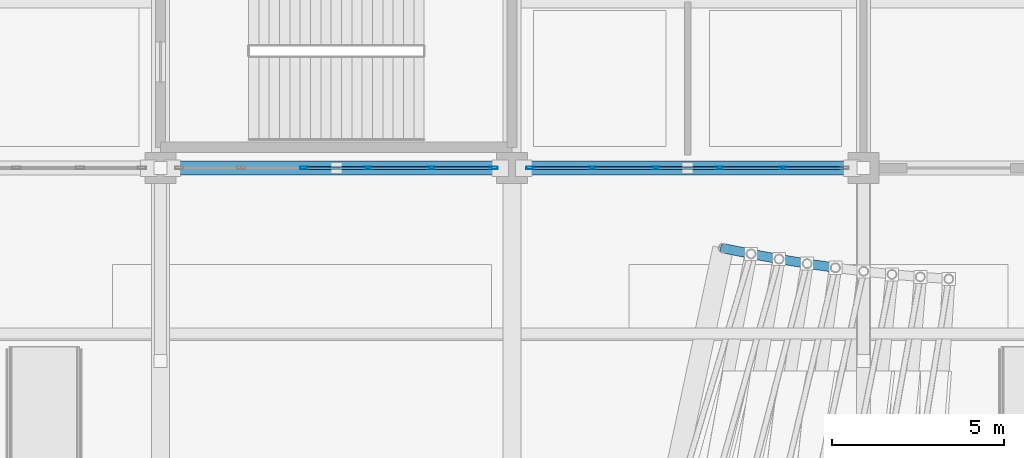
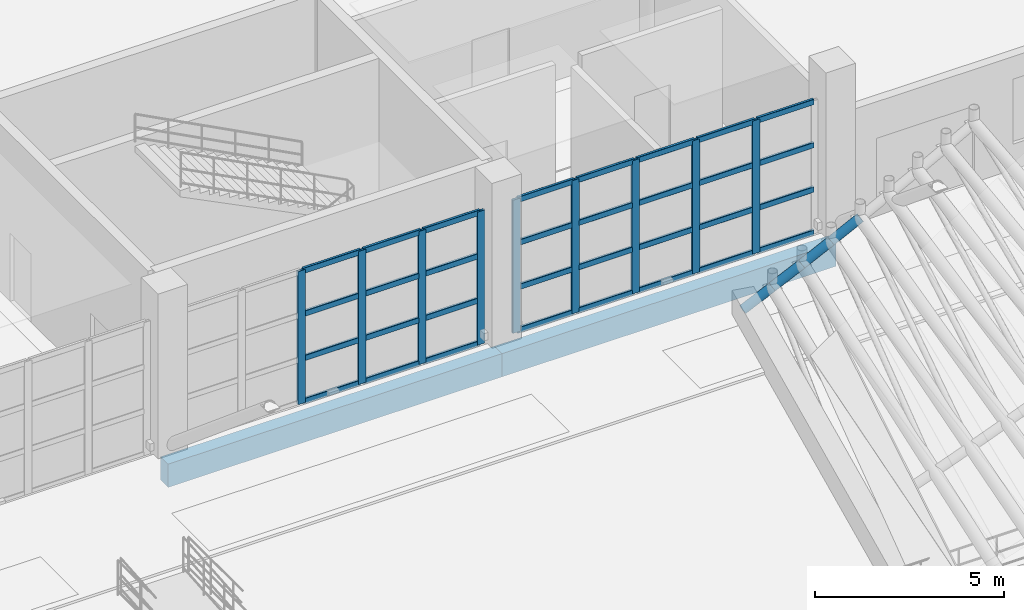
# One storey, part 50 of 124: 45 members, 2 beams, 2 elements without a shape of their own.
"""IFC4 building model written with IfcOpenShell, lengths in metres."""

from ifc_helpers import new_model, si_unit, direction, frame, origin, origin_2d, place, context, subcontext, project, spatial, rectangle, hollow_rectangle, hollow_circle, extrude, material, material_profile, profile_set, type_object, element, aggregate, save


model = new_model("IFC4")

# Units and contexts
model_context = context("Model", 3, precision=1e-05, world=origin(), true_north=direction((0.0, 1.0)))
body_context = subcontext(model_context, "Body", "Model", "MODEL_VIEW")
ifc_project = project(units=[si_unit("LENGTHUNIT", "METRE"), si_unit("AREAUNIT", "SQUARE_METRE"), si_unit("VOLUMEUNIT", "CUBIC_METRE"), si_unit("PLANEANGLEUNIT", "RADIAN"), si_unit("MASSUNIT", "GRAM", prefix="KILO")], contexts=[model_context])

# Site, building, storey
site_placement = place(None, origin())
site = spatial("IfcSite", under=ifc_project, at=site_placement, CompositionType="ELEMENT")
building_placement = place(site_placement, origin())
building = spatial("IfcBuilding", under=site, at=building_placement, Name="Brelvane Convention Centre", CompositionType="ELEMENT")
storey_placement = place(building_placement, origin())
storey = spatial("IfcBuildingStorey", under=building, at=storey_placement, Name="L00", CompositionType="ELEMENT", Elevation=0.0)

# Curtain wall, members
ifc_material_1 = material(Name="Anodised Aluminium Alloy 6063-T6", Category="aluminium")
curtain_wall_type = type_object("IfcCurtainWallType", Name="Curtain Wall CW-CONC", PredefinedType="USERDEFINED", material=ifc_material_1)
curtain_wall_1_placement = place(storey_placement, origin())
curtain_wall_1 = element("IfcCurtainWall", 1, at=curtain_wall_1_placement, inside=storey, type_object=curtain_wall_type, Name="Curtain Wall CW-CONC L00-V1S-13", ObjectType="UNITISED", PredefinedType="USERDEFINED")
ifc_material_2 = material(Name="Anodised Aluminium Alloy 6063-T6", Category="aluminium")
ifc_material_profile_1 = material_profile(ifc_material_2, hollow_rectangle(XDim=0.080078125, YDim=0.239990234375, WallThickness=0.006103515625, InnerFilletRadius=0.006103515625, OuterFilletRadius=0.011962890625, at=origin_2d()), Name="ALU-M 240x80x6.0")
ifc_profile_set_1 = profile_set([ifc_material_profile_1], Name="Anodised Aluminium Alloy 6063-T6")
member_type_1 = type_object("IfcMemberType", Name="Curtain Mullion CW-M1", PredefinedType="MULLION", material=ifc_profile_set_1)
member_1_placement = place(storey_placement, frame((126.580078125, 19.199951171875, 0.0), z_axis=(0.0, 0.0, 1.0), x_axis=(0.0, 1.0, 0.0)))
member_1 = element("IfcMember", 2, at=member_1_placement, type_object=member_type_1, Name="CW-CONC mullion 3", PredefinedType="MULLION", context=body_context, shape_type="SweptSolid", body=[
    extrude(hollow_rectangle(XDim=0.080078125, YDim=0.239990234375, WallThickness=0.006103515625, InnerFilletRadius=0.006103515625, OuterFilletRadius=0.011962890625, at=origin_2d()), origin(), (0.0, 0.0, 1.0), 4.300048828125),
])
member_2_placement = place(storey_placement, frame((128.419921875, 19.199951171875, 0.0), z_axis=(0.0, 0.0, 1.0), x_axis=(0.0, 1.0, 0.0)))
member_2 = element("IfcMember", 3, at=member_2_placement, type_object=member_type_1, Name="CW-CONC mullion 4", PredefinedType="MULLION", context=body_context, shape_type="SweptSolid", body=[
    extrude(hollow_rectangle(XDim=0.080078125, YDim=0.239990234375, WallThickness=0.006103515625, InnerFilletRadius=0.006103515625, OuterFilletRadius=0.011962890625, at=origin_2d()), origin(), (0.0, 0.0, 1.0), 4.300048828125),
])
member_3_placement = place(storey_placement, frame((130.260009765625, 19.199951171875, 0.0), z_axis=(0.0, 0.0, 1.0), x_axis=(0.0, 1.0, 0.0)))
member_3 = element("IfcMember", 4, at=member_3_placement, type_object=member_type_1, Name="CW-CONC mullion 5", PredefinedType="MULLION", context=body_context, shape_type="SweptSolid", body=[
    extrude(hollow_rectangle(XDim=0.080078125, YDim=0.239990234375, WallThickness=0.006103515625, InnerFilletRadius=0.006103515625, OuterFilletRadius=0.011962890625, at=origin_2d()), origin(), (0.0, 0.0, 1.0), 4.300048828125),
])
member_4_placement = place(storey_placement, frame((132.06005859375, 19.199951171875, 0.0), z_axis=(0.0, 0.0, 1.0), x_axis=(0.0, 1.0, 0.0)))
member_4 = element("IfcMember", 5, at=member_4_placement, type_object=member_type_1, Name="CW-CONC mullion 6", PredefinedType="MULLION", context=body_context, shape_type="SweptSolid", body=[
    extrude(hollow_rectangle(XDim=0.080078125, YDim=0.239990234375, WallThickness=0.006103515625, InnerFilletRadius=0.006103515625, OuterFilletRadius=0.011962890625, at=origin_2d()), origin(), (0.0, 0.0, 1.0), 4.300048828125),
])

curtain_wall_2_placement = place(storey_placement, origin())
curtain_wall_2 = element("IfcCurtainWall", 6, at=curtain_wall_2_placement, inside=storey, type_object=curtain_wall_type, Name="Curtain Wall CW-CONC L00-V1S-14", ObjectType="UNITISED", PredefinedType="USERDEFINED")
member_5_placement = place(storey_placement, frame((133.139892578125, 19.199951171875, 0.0), z_axis=(0.0, 0.0, 1.0), x_axis=(0.0, 1.0, 0.0)))
member_5 = element("IfcMember", 7, at=member_5_placement, type_object=member_type_1, Name="CW-CONC mullion 1", PredefinedType="MULLION", context=body_context, shape_type="SweptSolid", body=[
    extrude(hollow_rectangle(XDim=0.080078125, YDim=0.239990234375, WallThickness=0.006103515625, InnerFilletRadius=0.006103515625, OuterFilletRadius=0.011962890625, at=origin_2d()), origin(), (0.0, 0.0, 1.0), 4.300048828125),
])
member_6_placement = place(storey_placement, frame((134.93994140625, 19.199951171875, 0.0), z_axis=(0.0, 0.0, 1.0), x_axis=(0.0, 1.0, 0.0)))
member_6 = element("IfcMember", 8, at=member_6_placement, type_object=member_type_1, Name="CW-CONC mullion 2", PredefinedType="MULLION", context=body_context, shape_type="SweptSolid", body=[
    extrude(hollow_rectangle(XDim=0.080078125, YDim=0.239990234375, WallThickness=0.006103515625, InnerFilletRadius=0.006103515625, OuterFilletRadius=0.011962890625, at=origin_2d()), origin(), (0.0, 0.0, 1.0), 4.300048828125),
])
member_7_placement = place(storey_placement, frame((136.780029296875, 19.199951171875, 0.0), z_axis=(0.0, 0.0, 1.0), x_axis=(0.0, 1.0, 0.0)))
member_7 = element("IfcMember", 9, at=member_7_placement, type_object=member_type_1, Name="CW-CONC mullion 3", PredefinedType="MULLION", context=body_context, shape_type="SweptSolid", body=[
    extrude(hollow_rectangle(XDim=0.080078125, YDim=0.239990234375, WallThickness=0.006103515625, InnerFilletRadius=0.006103515625, OuterFilletRadius=0.011962890625, at=origin_2d()), origin(), (0.0, 0.0, 1.0), 4.300048828125),
])
member_8_placement = place(storey_placement, frame((138.6201171875, 19.199951171875, 0.0), z_axis=(0.0, 0.0, 1.0), x_axis=(0.0, 1.0, 0.0)))
member_8 = element("IfcMember", 10, at=member_8_placement, type_object=member_type_1, Name="CW-CONC mullion 4", PredefinedType="MULLION", context=body_context, shape_type="SweptSolid", body=[
    extrude(hollow_rectangle(XDim=0.080078125, YDim=0.239990234375, WallThickness=0.006103515625, InnerFilletRadius=0.006103515625, OuterFilletRadius=0.011962890625, at=origin_2d()), origin(), (0.0, 0.0, 1.0), 4.300048828125),
])
member_9_placement = place(storey_placement, frame((140.4599609375, 19.199951171875, 0.0), z_axis=(0.0, 0.0, 1.0), x_axis=(0.0, 1.0, 0.0)))
member_9 = element("IfcMember", 11, at=member_9_placement, type_object=member_type_1, Name="CW-CONC mullion 5", PredefinedType="MULLION", context=body_context, shape_type="SweptSolid", body=[
    extrude(hollow_rectangle(XDim=0.080078125, YDim=0.239990234375, WallThickness=0.006103515625, InnerFilletRadius=0.006103515625, OuterFilletRadius=0.011962890625, at=origin_2d()), origin(), (0.0, 0.0, 1.0), 4.300048828125),
])

# Member
ifc_material_3 = material(Name="Anodised Aluminium Alloy 6063-T6", Category="aluminium")
ifc_material_profile_2 = material_profile(ifc_material_3, hollow_rectangle(XDim=0.080078125, YDim=0.179931640625, WallThickness=0.0048828125, InnerFilletRadius=0.0048828125, OuterFilletRadius=0.010009765625, at=origin_2d()), Name="ALU-T 180x80x5.0")
ifc_profile_set_2 = profile_set([ifc_material_profile_2], Name="Anodised Aluminium Alloy 6063-T6")
member_type_2 = type_object("IfcMemberType", Name="Curtain Transom CW-T1", PredefinedType="USERDEFINED", material=ifc_profile_set_2)
member_10_placement = place(storey_placement, frame((126.6201171875, 19.199951171875, 0.0400390625), z_axis=(1.0, 0.0, 0.0), x_axis=(0.0, 1.0, 0.0)))
member_10 = element("IfcMember", 12, at=member_10_placement, type_object=member_type_2, Name="CW-CONC transom 3.1", ObjectType="TRANSOM", PredefinedType="USERDEFINED", context=body_context, shape_type="SweptSolid", body=[
    extrude(hollow_rectangle(XDim=0.080078125, YDim=0.179931640625, WallThickness=0.0048828125, InnerFilletRadius=0.0048828125, OuterFilletRadius=0.010009765625, at=origin_2d()), origin(), (0.0, 0.0, 1.0), 1.759765625),
])

member_11_placement = place(storey_placement, frame((126.6201171875, 19.199951171875, 1.433349609375), z_axis=(1.0, 0.0, 0.0), x_axis=(0.0, 1.0, 0.0)))
member_11 = element("IfcMember", 13, at=member_11_placement, type_object=member_type_2, Name="CW-CONC transom 3.2", ObjectType="TRANSOM", PredefinedType="USERDEFINED", context=body_context, shape_type="SweptSolid", body=[
    extrude(hollow_rectangle(XDim=0.080078125, YDim=0.179931640625, WallThickness=0.0048828125, InnerFilletRadius=0.0048828125, OuterFilletRadius=0.010009765625, at=origin_2d()), origin(), (0.0, 0.0, 1.0), 1.759765625),
])

member_12_placement = place(storey_placement, frame((126.6201171875, 19.199951171875, 2.86669921875), z_axis=(1.0, 0.0, 0.0), x_axis=(0.0, 1.0, 0.0)))
member_12 = element("IfcMember", 14, at=member_12_placement, type_object=member_type_2, Name="CW-CONC transom 3.3", ObjectType="TRANSOM", PredefinedType="USERDEFINED", context=body_context, shape_type="SweptSolid", body=[
    extrude(hollow_rectangle(XDim=0.080078125, YDim=0.179931640625, WallThickness=0.0048828125, InnerFilletRadius=0.0048828125, OuterFilletRadius=0.010009765625, at=origin_2d()), origin(), (0.0, 0.0, 1.0), 1.759765625),
])

member_13_placement = place(storey_placement, frame((126.6201171875, 19.199951171875, 4.260009765625), z_axis=(1.0, 0.0, 0.0), x_axis=(0.0, 1.0, 0.0)))
member_13 = element("IfcMember", 15, at=member_13_placement, type_object=member_type_2, Name="CW-CONC transom 3.4", ObjectType="TRANSOM", PredefinedType="USERDEFINED", context=body_context, shape_type="SweptSolid", body=[
    extrude(hollow_rectangle(XDim=0.080078125, YDim=0.179931640625, WallThickness=0.0048828125, InnerFilletRadius=0.0048828125, OuterFilletRadius=0.010009765625, at=origin_2d()), origin(), (0.0, 0.0, 1.0), 1.759765625),
])

member_14_placement = place(storey_placement, frame((128.4599609375, 19.199951171875, 0.0400390625), z_axis=(1.0, 0.0, 0.0), x_axis=(0.0, 1.0, 0.0)))
member_14 = element("IfcMember", 16, at=member_14_placement, type_object=member_type_2, Name="CW-CONC transom 4.1", ObjectType="TRANSOM", PredefinedType="USERDEFINED", context=body_context, shape_type="SweptSolid", body=[
    extrude(hollow_rectangle(XDim=0.080078125, YDim=0.179931640625, WallThickness=0.0048828125, InnerFilletRadius=0.0048828125, OuterFilletRadius=0.010009765625, at=origin_2d()), origin(), (0.0, 0.0, 1.0), 1.760009765625),
])

member_15_placement = place(storey_placement, frame((128.4599609375, 19.199951171875, 1.433349609375), z_axis=(1.0, 0.0, 0.0), x_axis=(0.0, 1.0, 0.0)))
member_15 = element("IfcMember", 17, at=member_15_placement, type_object=member_type_2, Name="CW-CONC transom 4.2", ObjectType="TRANSOM", PredefinedType="USERDEFINED", context=body_context, shape_type="SweptSolid", body=[
    extrude(hollow_rectangle(XDim=0.080078125, YDim=0.179931640625, WallThickness=0.0048828125, InnerFilletRadius=0.0048828125, OuterFilletRadius=0.010009765625, at=origin_2d()), origin(), (0.0, 0.0, 1.0), 1.760009765625),
])

member_16_placement = place(storey_placement, frame((128.4599609375, 19.199951171875, 2.86669921875), z_axis=(1.0, 0.0, 0.0), x_axis=(0.0, 1.0, 0.0)))
member_16 = element("IfcMember", 18, at=member_16_placement, type_object=member_type_2, Name="CW-CONC transom 4.3", ObjectType="TRANSOM", PredefinedType="USERDEFINED", context=body_context, shape_type="SweptSolid", body=[
    extrude(hollow_rectangle(XDim=0.080078125, YDim=0.179931640625, WallThickness=0.0048828125, InnerFilletRadius=0.0048828125, OuterFilletRadius=0.010009765625, at=origin_2d()), origin(), (0.0, 0.0, 1.0), 1.760009765625),
])

member_17_placement = place(storey_placement, frame((128.4599609375, 19.199951171875, 4.260009765625), z_axis=(1.0, 0.0, 0.0), x_axis=(0.0, 1.0, 0.0)))
member_17 = element("IfcMember", 19, at=member_17_placement, type_object=member_type_2, Name="CW-CONC transom 4.4", ObjectType="TRANSOM", PredefinedType="USERDEFINED", context=body_context, shape_type="SweptSolid", body=[
    extrude(hollow_rectangle(XDim=0.080078125, YDim=0.179931640625, WallThickness=0.0048828125, InnerFilletRadius=0.0048828125, OuterFilletRadius=0.010009765625, at=origin_2d()), origin(), (0.0, 0.0, 1.0), 1.760009765625),
])

member_18_placement = place(storey_placement, frame((130.300048828125, 19.199951171875, 0.0400390625), z_axis=(1.0, 0.0, 0.0), x_axis=(0.0, 1.0, 0.0)))
member_18 = element("IfcMember", 20, at=member_18_placement, type_object=member_type_2, Name="CW-CONC transom 5.1", ObjectType="TRANSOM", PredefinedType="USERDEFINED", context=body_context, shape_type="SweptSolid", body=[
    extrude(hollow_rectangle(XDim=0.080078125, YDim=0.179931640625, WallThickness=0.0048828125, InnerFilletRadius=0.0048828125, OuterFilletRadius=0.010009765625, at=origin_2d()), origin(), (0.0, 0.0, 1.0), 1.719970703125),
])

member_19_placement = place(storey_placement, frame((130.300048828125, 19.199951171875, 1.433349609375), z_axis=(1.0, 0.0, 0.0), x_axis=(0.0, 1.0, 0.0)))
member_19 = element("IfcMember", 21, at=member_19_placement, type_object=member_type_2, Name="CW-CONC transom 5.2", ObjectType="TRANSOM", PredefinedType="USERDEFINED", context=body_context, shape_type="SweptSolid", body=[
    extrude(hollow_rectangle(XDim=0.080078125, YDim=0.179931640625, WallThickness=0.0048828125, InnerFilletRadius=0.0048828125, OuterFilletRadius=0.010009765625, at=origin_2d()), origin(), (0.0, 0.0, 1.0), 1.719970703125),
])

member_20_placement = place(storey_placement, frame((130.300048828125, 19.199951171875, 2.86669921875), z_axis=(1.0, 0.0, 0.0), x_axis=(0.0, 1.0, 0.0)))
member_20 = element("IfcMember", 22, at=member_20_placement, type_object=member_type_2, Name="CW-CONC transom 5.3", ObjectType="TRANSOM", PredefinedType="USERDEFINED", context=body_context, shape_type="SweptSolid", body=[
    extrude(hollow_rectangle(XDim=0.080078125, YDim=0.179931640625, WallThickness=0.0048828125, InnerFilletRadius=0.0048828125, OuterFilletRadius=0.010009765625, at=origin_2d()), origin(), (0.0, 0.0, 1.0), 1.719970703125),
])

member_21_placement = place(storey_placement, frame((130.300048828125, 19.199951171875, 4.260009765625), z_axis=(1.0, 0.0, 0.0), x_axis=(0.0, 1.0, 0.0)))
member_21 = element("IfcMember", 23, at=member_21_placement, type_object=member_type_2, Name="CW-CONC transom 5.4", ObjectType="TRANSOM", PredefinedType="USERDEFINED", context=body_context, shape_type="SweptSolid", body=[
    extrude(hollow_rectangle(XDim=0.080078125, YDim=0.179931640625, WallThickness=0.0048828125, InnerFilletRadius=0.0048828125, OuterFilletRadius=0.010009765625, at=origin_2d()), origin(), (0.0, 0.0, 1.0), 1.719970703125),
])

aggregate(curtain_wall_1, [member_1, member_2, member_3, member_4, member_10, member_11, member_12, member_13, member_14, member_15, member_16, member_17, member_18, member_19, member_20, member_21])

member_22_placement = place(storey_placement, frame((133.179931640625, 19.199951171875, 0.0400390625), z_axis=(1.0, 0.0, 0.0), x_axis=(0.0, 1.0, 0.0)))
member_22 = element("IfcMember", 24, at=member_22_placement, type_object=member_type_2, Name="CW-CONC transom 1.1", ObjectType="TRANSOM", PredefinedType="USERDEFINED", context=body_context, shape_type="SweptSolid", body=[
    extrude(hollow_rectangle(XDim=0.080078125, YDim=0.179931640625, WallThickness=0.0048828125, InnerFilletRadius=0.0048828125, OuterFilletRadius=0.010009765625, at=origin_2d()), origin(), (0.0, 0.0, 1.0), 1.719970703125),
])

member_23_placement = place(storey_placement, frame((133.179931640625, 19.199951171875, 1.433349609375), z_axis=(1.0, 0.0, 0.0), x_axis=(0.0, 1.0, 0.0)))
member_23 = element("IfcMember", 25, at=member_23_placement, type_object=member_type_2, Name="CW-CONC transom 1.2", ObjectType="TRANSOM", PredefinedType="USERDEFINED", context=body_context, shape_type="SweptSolid", body=[
    extrude(hollow_rectangle(XDim=0.080078125, YDim=0.179931640625, WallThickness=0.0048828125, InnerFilletRadius=0.0048828125, OuterFilletRadius=0.010009765625, at=origin_2d()), origin(), (0.0, 0.0, 1.0), 1.719970703125),
])

member_24_placement = place(storey_placement, frame((133.179931640625, 19.199951171875, 2.86669921875), z_axis=(1.0, 0.0, 0.0), x_axis=(0.0, 1.0, 0.0)))
member_24 = element("IfcMember", 26, at=member_24_placement, type_object=member_type_2, Name="CW-CONC transom 1.3", ObjectType="TRANSOM", PredefinedType="USERDEFINED", context=body_context, shape_type="SweptSolid", body=[
    extrude(hollow_rectangle(XDim=0.080078125, YDim=0.179931640625, WallThickness=0.0048828125, InnerFilletRadius=0.0048828125, OuterFilletRadius=0.010009765625, at=origin_2d()), origin(), (0.0, 0.0, 1.0), 1.719970703125),
])

member_25_placement = place(storey_placement, frame((133.179931640625, 19.199951171875, 4.260009765625), z_axis=(1.0, 0.0, 0.0), x_axis=(0.0, 1.0, 0.0)))
member_25 = element("IfcMember", 27, at=member_25_placement, type_object=member_type_2, Name="CW-CONC transom 1.4", ObjectType="TRANSOM", PredefinedType="USERDEFINED", context=body_context, shape_type="SweptSolid", body=[
    extrude(hollow_rectangle(XDim=0.080078125, YDim=0.179931640625, WallThickness=0.0048828125, InnerFilletRadius=0.0048828125, OuterFilletRadius=0.010009765625, at=origin_2d()), origin(), (0.0, 0.0, 1.0), 1.719970703125),
])

member_26_placement = place(storey_placement, frame((134.97998046875, 19.199951171875, 0.0400390625), z_axis=(1.0, 0.0, 0.0), x_axis=(0.0, 1.0, 0.0)))
member_26 = element("IfcMember", 28, at=member_26_placement, type_object=member_type_2, Name="CW-CONC transom 2.1", ObjectType="TRANSOM", PredefinedType="USERDEFINED", context=body_context, shape_type="SweptSolid", body=[
    extrude(hollow_rectangle(XDim=0.080078125, YDim=0.179931640625, WallThickness=0.0048828125, InnerFilletRadius=0.0048828125, OuterFilletRadius=0.010009765625, at=origin_2d()), origin(), (0.0, 0.0, 1.0), 1.760009765625),
])

member_27_placement = place(storey_placement, frame((134.97998046875, 19.199951171875, 1.433349609375), z_axis=(1.0, 0.0, 0.0), x_axis=(0.0, 1.0, 0.0)))
member_27 = element("IfcMember", 29, at=member_27_placement, type_object=member_type_2, Name="CW-CONC transom 2.2", ObjectType="TRANSOM", PredefinedType="USERDEFINED", context=body_context, shape_type="SweptSolid", body=[
    extrude(hollow_rectangle(XDim=0.080078125, YDim=0.179931640625, WallThickness=0.0048828125, InnerFilletRadius=0.0048828125, OuterFilletRadius=0.010009765625, at=origin_2d()), origin(), (0.0, 0.0, 1.0), 1.760009765625),
])

member_28_placement = place(storey_placement, frame((134.97998046875, 19.199951171875, 2.86669921875), z_axis=(1.0, 0.0, 0.0), x_axis=(0.0, 1.0, 0.0)))
member_28 = element("IfcMember", 30, at=member_28_placement, type_object=member_type_2, Name="CW-CONC transom 2.3", ObjectType="TRANSOM", PredefinedType="USERDEFINED", context=body_context, shape_type="SweptSolid", body=[
    extrude(hollow_rectangle(XDim=0.080078125, YDim=0.179931640625, WallThickness=0.0048828125, InnerFilletRadius=0.0048828125, OuterFilletRadius=0.010009765625, at=origin_2d()), origin(), (0.0, 0.0, 1.0), 1.760009765625),
])

member_29_placement = place(storey_placement, frame((134.97998046875, 19.199951171875, 4.260009765625), z_axis=(1.0, 0.0, 0.0), x_axis=(0.0, 1.0, 0.0)))
member_29 = element("IfcMember", 31, at=member_29_placement, type_object=member_type_2, Name="CW-CONC transom 2.4", ObjectType="TRANSOM", PredefinedType="USERDEFINED", context=body_context, shape_type="SweptSolid", body=[
    extrude(hollow_rectangle(XDim=0.080078125, YDim=0.179931640625, WallThickness=0.0048828125, InnerFilletRadius=0.0048828125, OuterFilletRadius=0.010009765625, at=origin_2d()), origin(), (0.0, 0.0, 1.0), 1.760009765625),
])

member_30_placement = place(storey_placement, frame((136.820068359375, 19.199951171875, 0.0400390625), z_axis=(1.0, 0.0, 0.0), x_axis=(0.0, 1.0, 0.0)))
member_30 = element("IfcMember", 32, at=member_30_placement, type_object=member_type_2, Name="CW-CONC transom 3.1", ObjectType="TRANSOM", PredefinedType="USERDEFINED", context=body_context, shape_type="SweptSolid", body=[
    extrude(hollow_rectangle(XDim=0.080078125, YDim=0.179931640625, WallThickness=0.0048828125, InnerFilletRadius=0.0048828125, OuterFilletRadius=0.010009765625, at=origin_2d()), origin(), (0.0, 0.0, 1.0), 1.760009765625),
])

member_31_placement = place(storey_placement, frame((136.820068359375, 19.199951171875, 1.433349609375), z_axis=(1.0, 0.0, 0.0), x_axis=(0.0, 1.0, 0.0)))
member_31 = element("IfcMember", 33, at=member_31_placement, type_object=member_type_2, Name="CW-CONC transom 3.2", ObjectType="TRANSOM", PredefinedType="USERDEFINED", context=body_context, shape_type="SweptSolid", body=[
    extrude(hollow_rectangle(XDim=0.080078125, YDim=0.179931640625, WallThickness=0.0048828125, InnerFilletRadius=0.0048828125, OuterFilletRadius=0.010009765625, at=origin_2d()), origin(), (0.0, 0.0, 1.0), 1.760009765625),
])

member_32_placement = place(storey_placement, frame((136.820068359375, 19.199951171875, 2.86669921875), z_axis=(1.0, 0.0, 0.0), x_axis=(0.0, 1.0, 0.0)))
member_32 = element("IfcMember", 34, at=member_32_placement, type_object=member_type_2, Name="CW-CONC transom 3.3", ObjectType="TRANSOM", PredefinedType="USERDEFINED", context=body_context, shape_type="SweptSolid", body=[
    extrude(hollow_rectangle(XDim=0.080078125, YDim=0.179931640625, WallThickness=0.0048828125, InnerFilletRadius=0.0048828125, OuterFilletRadius=0.010009765625, at=origin_2d()), origin(), (0.0, 0.0, 1.0), 1.760009765625),
])

member_33_placement = place(storey_placement, frame((136.820068359375, 19.199951171875, 4.260009765625), z_axis=(1.0, 0.0, 0.0), x_axis=(0.0, 1.0, 0.0)))
member_33 = element("IfcMember", 35, at=member_33_placement, type_object=member_type_2, Name="CW-CONC transom 3.4", ObjectType="TRANSOM", PredefinedType="USERDEFINED", context=body_context, shape_type="SweptSolid", body=[
    extrude(hollow_rectangle(XDim=0.080078125, YDim=0.179931640625, WallThickness=0.0048828125, InnerFilletRadius=0.0048828125, OuterFilletRadius=0.010009765625, at=origin_2d()), origin(), (0.0, 0.0, 1.0), 1.760009765625),
])

member_34_placement = place(storey_placement, frame((138.659912109375, 19.199951171875, 0.0400390625), z_axis=(1.0, 0.0, 0.0), x_axis=(0.0, 1.0, 0.0)))
member_34 = element("IfcMember", 36, at=member_34_placement, type_object=member_type_2, Name="CW-CONC transom 4.1", ObjectType="TRANSOM", PredefinedType="USERDEFINED", context=body_context, shape_type="SweptSolid", body=[
    extrude(hollow_rectangle(XDim=0.080078125, YDim=0.179931640625, WallThickness=0.0048828125, InnerFilletRadius=0.0048828125, OuterFilletRadius=0.010009765625, at=origin_2d()), origin(), (0.0, 0.0, 1.0), 1.760009765625),
])

member_35_placement = place(storey_placement, frame((138.659912109375, 19.199951171875, 1.433349609375), z_axis=(1.0, 0.0, 0.0), x_axis=(0.0, 1.0, 0.0)))
member_35 = element("IfcMember", 37, at=member_35_placement, type_object=member_type_2, Name="CW-CONC transom 4.2", ObjectType="TRANSOM", PredefinedType="USERDEFINED", context=body_context, shape_type="SweptSolid", body=[
    extrude(hollow_rectangle(XDim=0.080078125, YDim=0.179931640625, WallThickness=0.0048828125, InnerFilletRadius=0.0048828125, OuterFilletRadius=0.010009765625, at=origin_2d()), origin(), (0.0, 0.0, 1.0), 1.760009765625),
])

member_36_placement = place(storey_placement, frame((138.659912109375, 19.199951171875, 2.86669921875), z_axis=(1.0, 0.0, 0.0), x_axis=(0.0, 1.0, 0.0)))
member_36 = element("IfcMember", 38, at=member_36_placement, type_object=member_type_2, Name="CW-CONC transom 4.3", ObjectType="TRANSOM", PredefinedType="USERDEFINED", context=body_context, shape_type="SweptSolid", body=[
    extrude(hollow_rectangle(XDim=0.080078125, YDim=0.179931640625, WallThickness=0.0048828125, InnerFilletRadius=0.0048828125, OuterFilletRadius=0.010009765625, at=origin_2d()), origin(), (0.0, 0.0, 1.0), 1.760009765625),
])

member_37_placement = place(storey_placement, frame((138.659912109375, 19.199951171875, 4.260009765625), z_axis=(1.0, 0.0, 0.0), x_axis=(0.0, 1.0, 0.0)))
member_37 = element("IfcMember", 39, at=member_37_placement, type_object=member_type_2, Name="CW-CONC transom 4.4", ObjectType="TRANSOM", PredefinedType="USERDEFINED", context=body_context, shape_type="SweptSolid", body=[
    extrude(hollow_rectangle(XDim=0.080078125, YDim=0.179931640625, WallThickness=0.0048828125, InnerFilletRadius=0.0048828125, OuterFilletRadius=0.010009765625, at=origin_2d()), origin(), (0.0, 0.0, 1.0), 1.760009765625),
])

member_38_placement = place(storey_placement, frame((140.5, 19.199951171875, 0.0400390625), z_axis=(1.0, 0.0, 0.0), x_axis=(0.0, 1.0, 0.0)))
member_38 = element("IfcMember", 40, at=member_38_placement, type_object=member_type_2, Name="CW-CONC transom 5.1", ObjectType="TRANSOM", PredefinedType="USERDEFINED", context=body_context, shape_type="SweptSolid", body=[
    extrude(hollow_rectangle(XDim=0.080078125, YDim=0.179931640625, WallThickness=0.0048828125, InnerFilletRadius=0.0048828125, OuterFilletRadius=0.010009765625, at=origin_2d()), origin(), (0.0, 0.0, 1.0), 1.719970703125),
])

member_39_placement = place(storey_placement, frame((140.5, 19.199951171875, 1.433349609375), z_axis=(1.0, 0.0, 0.0), x_axis=(0.0, 1.0, 0.0)))
member_39 = element("IfcMember", 41, at=member_39_placement, type_object=member_type_2, Name="CW-CONC transom 5.2", ObjectType="TRANSOM", PredefinedType="USERDEFINED", context=body_context, shape_type="SweptSolid", body=[
    extrude(hollow_rectangle(XDim=0.080078125, YDim=0.179931640625, WallThickness=0.0048828125, InnerFilletRadius=0.0048828125, OuterFilletRadius=0.010009765625, at=origin_2d()), origin(), (0.0, 0.0, 1.0), 1.719970703125),
])

member_40_placement = place(storey_placement, frame((140.5, 19.199951171875, 2.86669921875), z_axis=(1.0, 0.0, 0.0), x_axis=(0.0, 1.0, 0.0)))
member_40 = element("IfcMember", 42, at=member_40_placement, type_object=member_type_2, Name="CW-CONC transom 5.3", ObjectType="TRANSOM", PredefinedType="USERDEFINED", context=body_context, shape_type="SweptSolid", body=[
    extrude(hollow_rectangle(XDim=0.080078125, YDim=0.179931640625, WallThickness=0.0048828125, InnerFilletRadius=0.0048828125, OuterFilletRadius=0.010009765625, at=origin_2d()), origin(), (0.0, 0.0, 1.0), 1.719970703125),
])

member_41_placement = place(storey_placement, frame((140.5, 19.199951171875, 4.260009765625), z_axis=(1.0, 0.0, 0.0), x_axis=(0.0, 1.0, 0.0)))
member_41 = element("IfcMember", 43, at=member_41_placement, type_object=member_type_2, Name="CW-CONC transom 5.4", ObjectType="TRANSOM", PredefinedType="USERDEFINED", context=body_context, shape_type="SweptSolid", body=[
    extrude(hollow_rectangle(XDim=0.080078125, YDim=0.179931640625, WallThickness=0.0048828125, InnerFilletRadius=0.0048828125, OuterFilletRadius=0.010009765625, at=origin_2d()), origin(), (0.0, 0.0, 1.0), 1.719970703125),
])

aggregate(curtain_wall_2, [member_5, member_6, member_7, member_8, member_9, member_22, member_23, member_24, member_25, member_26, member_27, member_28, member_29, member_30, member_31, member_32, member_33, member_34, member_35, member_36, member_37, member_38, member_39, member_40, member_41])

# Beams
ifc_material_4 = material(Name="Concrete M40", Category="concrete")
ifc_material_profile_3 = material_profile(ifc_material_4, rectangle(XDim=0.39990234375, YDim=0.75, at=origin_2d()), Name="RC 400x750")
ifc_profile_set_3 = profile_set([ifc_material_profile_3], Name="Concrete M40")
beam_type = type_object("IfcBeamType", Name="RC Spandrel SP-RC1 (RC 400x750)", PredefinedType="SPANDREL", material=ifc_profile_set_3)
beam_1_placement = place(storey_placement, frame((122.39990234375, 19.199951171875, -0.77490234375), z_axis=(1.0, 0.0, 0.0), x_axis=(0.0, 1.0, 0.0)))
element("IfcBeam", 44, at=beam_1_placement, inside=storey, type_object=beam_type, Name="L00 Beam 13-14/C", PredefinedType="SPANDREL", context=body_context, shape_type="SweptSolid", body=[
    extrude(rectangle(XDim=0.39990234375, YDim=0.75, at=origin_2d()), origin(), (0.0, 0.0, 1.0), 10.2001953125),
])
beam_2_placement = place(storey_placement, frame((132.60009765625, 19.199951171875, -0.77490234375), z_axis=(1.0, 0.0, 0.0), x_axis=(0.0, 1.0, 0.0)))
element("IfcBeam", 45, at=beam_2_placement, inside=storey, type_object=beam_type, Name="L00 Beam 14-15/C", PredefinedType="SPANDREL", context=body_context, shape_type="SweptSolid", body=[
    extrude(rectangle(XDim=0.39990234375, YDim=0.75, at=origin_2d()), origin(), (0.0, 0.0, 1.0), 10.199951171875),
])

# Members
ifc_material_5 = material(Name="Steel E450 (450 MPa)", Category="steel")
ifc_material_profile_4 = material_profile(ifc_material_5, hollow_circle(Radius=0.136474609375, WallThickness=0.012451171875, at=origin_2d()), Name="CHS 273.0x12.5")
ifc_profile_set_4 = profile_set([ifc_material_profile_4], Name="Steel E450 (450 MPa)")
member_type_3 = type_object("IfcMemberType", Name="Steel Chord CN-CH1 (CHS 273.0x12.5)", PredefinedType="CHORD", material=ifc_profile_set_4)
member_42_placement = place(storey_placement, frame((141.985595703125, 16.307373046875, 2.340576171875), z_axis=(-0.830454487602, 0.120901488649, -0.543808949966), x_axis=(-0.144065997576, -0.989568081712, 0.0)))
element("IfcMember", 46, at=member_42_placement, inside=storey, type_object=member_type_3, Name="Boulevard Canopy Arc Chord IN-28", PredefinedType="CHORD", context=body_context, shape_type="SweptSolid", body=[
    extrude(hollow_circle(Radius=0.136474609375, WallThickness=0.012451171875, at=origin_2d()), origin(), (0.0, 0.0, 1.0), 0.9853515625),
])
member_43_placement = place(storey_placement, frame((141.167236328125, 16.426513671875, 1.8046875), z_axis=(-0.826111852594, 0.135914304196, -0.546869736701), x_axis=(-0.162340455594, -0.986734805547, 0.0)))
element("IfcMember", 47, at=member_43_placement, inside=storey, type_object=member_type_3, Name="Boulevard Canopy Arc Chord IN-29", PredefinedType="CHORD", context=body_context, shape_type="SweptSolid", body=[
    extrude(hollow_circle(Radius=0.136474609375, WallThickness=0.012451171875, at=origin_2d()), origin(), (0.0, 0.0, 1.0), 0.988037109375),
])
member_44_placement = place(storey_placement, frame((140.35107421875, 16.560791015625, 1.264404296875), z_axis=(-0.821312916767, 0.150853392876, -0.550171197546), x_axis=(-0.180651520328, -0.983547166232, 0.0)))
element("IfcMember", 48, at=member_44_placement, inside=storey, type_object=member_type_3, Name="Boulevard Canopy Arc Chord IN-30", PredefinedType="CHORD", context=body_context, shape_type="SweptSolid", body=[
    extrude(hollow_circle(Radius=0.136474609375, WallThickness=0.012451171875, at=origin_2d()), origin(), (0.0, 0.0, 1.0), 0.990478515625),
])
member_45_placement = place(storey_placement, frame((139.53759765625, 16.710205078125, 0.719482421875), z_axis=(-0.816281104758, 0.165469031175, -0.553448423738), x_axis=(-0.198670091306, -0.980066423678, 0.0)))
element("IfcMember", 49, at=member_45_placement, inside=storey, type_object=member_type_3, Name="Boulevard Canopy Arc Chord IN-31", PredefinedType="CHORD", context=body_context, shape_type="SweptSolid", body=[
    extrude(hollow_circle(Radius=0.136474609375, WallThickness=0.012451171875, at=origin_2d()), origin(), (0.0, 0.0, 1.0), 0.992919921875),
])

save(model, "model.ifc")
